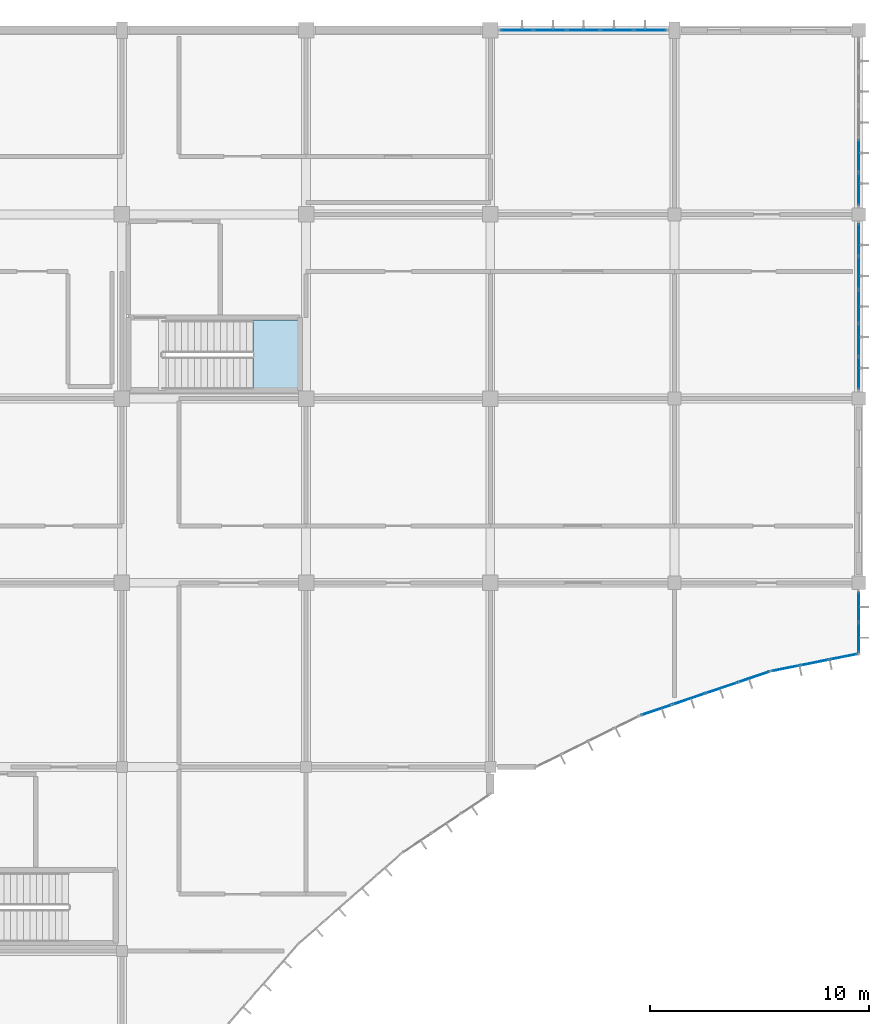
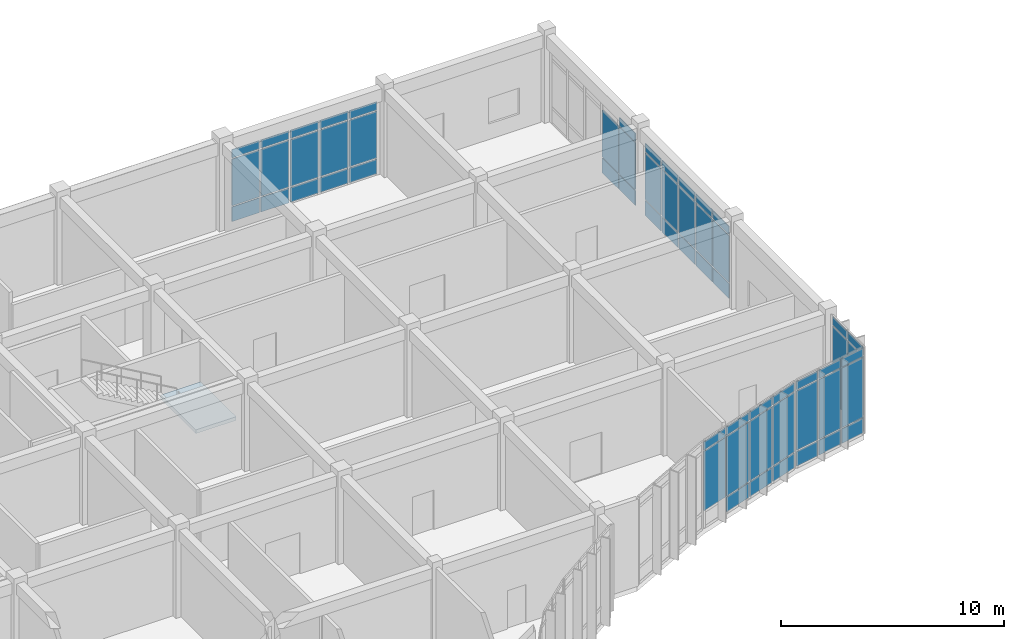
# One storey, part 85 of 134: 61 plates, 1 slab, 7 elements without a shape of their own.
"""IFC4 building model written with IfcOpenShell, lengths in metres."""

from ifc_helpers import new_model, si_unit, direction, frame, origin, origin_2d, place, context, subcontext, project, spatial, polyline, rectangle, outline, extrude, material, layer, layer_set, type_object, element, aggregate, save


model = new_model("IFC4")

# Units and contexts
model_context = context("Model", 3, precision=1e-05, world=origin(), true_north=direction((0.0, 1.0)))
body_context = subcontext(model_context, "Body", "Model", "MODEL_VIEW")
ifc_project = project(units=[si_unit("LENGTHUNIT", "METRE"), si_unit("AREAUNIT", "SQUARE_METRE"), si_unit("VOLUMEUNIT", "CUBIC_METRE"), si_unit("PLANEANGLEUNIT", "RADIAN"), si_unit("MASSUNIT", "GRAM", prefix="KILO")], contexts=[model_context])

# Site, building, storey
site_placement = place(None, origin())
site = spatial("IfcSite", under=ifc_project, at=site_placement, CompositionType="ELEMENT")
building_placement = place(site_placement, origin())
building = spatial("IfcBuilding", under=site, at=building_placement, Name="Bramfleet General Hospital", CompositionType="ELEMENT")
storey_placement = place(building_placement, frame((0.0, 0.0, 9.300048828125)))
storey = spatial("IfcBuildingStorey", under=building, at=storey_placement, Name="L02", CompositionType="ELEMENT", Elevation=9.300048828125)

# Curtain wall, plates
ifc_material_1 = material(Name="Anodised aluminium and low-E triple glazing", Category="aluminium")
ifc_layer_1 = layer(ifc_material_1, 0.179931640625, Name="CWT-CW-11")
ifc_layer_set_1 = layer_set([ifc_layer_1], Name="Anodised aluminium and low-E triple glazing")
curtain_wall_type_1 = type_object("IfcCurtainWallType", Name="CWT-CW-11", PredefinedType="USERDEFINED", material=ifc_layer_set_1)
curtain_wall_1_placement = place(storey_placement, origin())
curtain_wall_1 = element("IfcCurtainWall", 1, at=curtain_wall_1_placement, inside=storey, type_object=curtain_wall_type_1, Name="L02 Curtain Wall 101", ObjectType="Stick curtain wall", PredefinedType="USERDEFINED")
ifc_material_2 = material(Name="Low-E laminated safety glass", Category="glass")
ifc_layer_2 = layer(ifc_material_2, 0.028076171875, Name="CWP-GLZ-1")
ifc_layer_set_2 = layer_set([ifc_layer_2], Name="Low-E laminated safety glass")
plate_type_1 = type_object("IfcPlateType", Name="CWP-GLZ-1", PredefinedType="CURTAIN_PANEL", material=ifc_layer_set_2)
plate_1_placement = place(storey_placement, frame((168.0, 108.04248046875, 0.06494140625), z_axis=(0.0, 0.0, 1.0), x_axis=(0.0, -1.0, 0.0)))
plate_1 = element("IfcPlate", 2, at=plate_1_placement, type_object=plate_type_1, Name="CW-11 panel 1.1", PredefinedType="CURTAIN_PANEL", context=body_context, shape_type="SweptSolid", body=[
    extrude(rectangle(XDim=1.425048828125, YDim=0.028076171875, at=origin_2d()), origin(), (0.0, 0.0, 1.0), 0.802490234375),
])
plate_2_placement = place(storey_placement, frame((168.0, 108.04248046875, 0.9326171875), z_axis=(0.0, 0.0, 1.0), x_axis=(0.0, -1.0, 0.0)))
plate_2 = element("IfcPlate", 3, at=plate_2_placement, type_object=plate_type_1, Name="CW-11 panel 1.2", PredefinedType="CURTAIN_PANEL", context=body_context, shape_type="SweptSolid", body=[
    extrude(rectangle(XDim=1.425048828125, YDim=0.028076171875, at=origin_2d()), origin(), (0.0, 0.0, 1.0), 2.554931640625),
])
plate_3_placement = place(storey_placement, frame((168.0, 108.04248046875, 3.552734375), z_axis=(0.0, 0.0, 1.0), x_axis=(0.0, -1.0, 0.0)))
plate_3 = element("IfcPlate", 4, at=plate_3_placement, type_object=plate_type_1, Name="CW-11 panel 1.3", PredefinedType="CURTAIN_PANEL", context=body_context, shape_type="SweptSolid", body=[
    extrude(rectangle(XDim=1.425048828125, YDim=0.028076171875, at=origin_2d()), origin(), (0.0, 0.0, 1.0), 0.452392578125),
])
plate_4_placement = place(storey_placement, frame((168.0, 106.530029296875, 0.06494140625), z_axis=(0.0, 0.0, 1.0), x_axis=(0.0, -1.0, 0.0)))
plate_4 = element("IfcPlate", 5, at=plate_4_placement, type_object=plate_type_1, Name="CW-11 panel 2.1", PredefinedType="CURTAIN_PANEL", context=body_context, shape_type="SweptSolid", body=[
    extrude(rectangle(XDim=1.4599609375, YDim=0.028076171875, at=origin_2d()), origin(), (0.0, 0.0, 1.0), 0.802490234375),
])
plate_5_placement = place(storey_placement, frame((168.0, 106.530029296875, 0.9326171875), z_axis=(0.0, 0.0, 1.0), x_axis=(0.0, -1.0, 0.0)))
plate_5 = element("IfcPlate", 6, at=plate_5_placement, type_object=plate_type_1, Name="CW-11 panel 2.2", PredefinedType="CURTAIN_PANEL", context=body_context, shape_type="SweptSolid", body=[
    extrude(rectangle(XDim=1.4599609375, YDim=0.028076171875, at=origin_2d()), origin(), (0.0, 0.0, 1.0), 2.554931640625),
])
plate_6_placement = place(storey_placement, frame((168.0, 106.530029296875, 3.552734375), z_axis=(0.0, 0.0, 1.0), x_axis=(0.0, -1.0, 0.0)))
plate_6 = element("IfcPlate", 7, at=plate_6_placement, type_object=plate_type_1, Name="CW-11 panel 2.3", PredefinedType="CURTAIN_PANEL", context=body_context, shape_type="SweptSolid", body=[
    extrude(rectangle(XDim=1.4599609375, YDim=0.028076171875, at=origin_2d()), origin(), (0.0, 0.0, 1.0), 0.452392578125),
])
plate_7_placement = place(storey_placement, frame((168.0, 105.0, 0.06494140625), z_axis=(0.0, 0.0, 1.0), x_axis=(0.0, -1.0, 0.0)))
plate_7 = element("IfcPlate", 8, at=plate_7_placement, type_object=plate_type_1, Name="CW-11 panel 3.1", PredefinedType="CURTAIN_PANEL", context=body_context, shape_type="SweptSolid", body=[
    extrude(rectangle(XDim=1.4599609375, YDim=0.028076171875, at=origin_2d()), origin(), (0.0, 0.0, 1.0), 0.802490234375),
])
plate_8_placement = place(storey_placement, frame((168.0, 105.0, 0.9326171875), z_axis=(0.0, 0.0, 1.0), x_axis=(0.0, -1.0, 0.0)))
plate_8 = element("IfcPlate", 9, at=plate_8_placement, type_object=plate_type_1, Name="CW-11 panel 3.2", PredefinedType="CURTAIN_PANEL", context=body_context, shape_type="SweptSolid", body=[
    extrude(rectangle(XDim=1.4599609375, YDim=0.028076171875, at=origin_2d()), origin(), (0.0, 0.0, 1.0), 2.554931640625),
])
plate_9_placement = place(storey_placement, frame((168.0, 105.0, 3.552734375), z_axis=(0.0, 0.0, 1.0), x_axis=(0.0, -1.0, 0.0)))
plate_9 = element("IfcPlate", 10, at=plate_9_placement, type_object=plate_type_1, Name="CW-11 panel 3.3", PredefinedType="CURTAIN_PANEL", context=body_context, shape_type="SweptSolid", body=[
    extrude(rectangle(XDim=1.4599609375, YDim=0.028076171875, at=origin_2d()), origin(), (0.0, 0.0, 1.0), 0.452392578125),
])
plate_10_placement = place(storey_placement, frame((168.0, 103.469970703125, 0.06494140625), z_axis=(0.0, 0.0, 1.0), x_axis=(0.0, -1.0, 0.0)))
plate_10 = element("IfcPlate", 11, at=plate_10_placement, type_object=plate_type_1, Name="CW-11 panel 4.1", PredefinedType="CURTAIN_PANEL", context=body_context, shape_type="SweptSolid", body=[
    extrude(rectangle(XDim=1.4599609375, YDim=0.028076171875, at=origin_2d()), origin(), (0.0, 0.0, 1.0), 0.802490234375),
])
plate_11_placement = place(storey_placement, frame((168.0, 103.469970703125, 0.9326171875), z_axis=(0.0, 0.0, 1.0), x_axis=(0.0, -1.0, 0.0)))
plate_11 = element("IfcPlate", 12, at=plate_11_placement, type_object=plate_type_1, Name="CW-11 panel 4.2", PredefinedType="CURTAIN_PANEL", context=body_context, shape_type="SweptSolid", body=[
    extrude(rectangle(XDim=1.4599609375, YDim=0.028076171875, at=origin_2d()), origin(), (0.0, 0.0, 1.0), 2.554931640625),
])
plate_12_placement = place(storey_placement, frame((168.0, 103.469970703125, 3.552734375), z_axis=(0.0, 0.0, 1.0), x_axis=(0.0, -1.0, 0.0)))
plate_12 = element("IfcPlate", 13, at=plate_12_placement, type_object=plate_type_1, Name="CW-11 panel 4.3", PredefinedType="CURTAIN_PANEL", context=body_context, shape_type="SweptSolid", body=[
    extrude(rectangle(XDim=1.4599609375, YDim=0.028076171875, at=origin_2d()), origin(), (0.0, 0.0, 1.0), 0.452392578125),
])
plate_13_placement = place(storey_placement, frame((168.0, 101.95751953125, 0.06494140625), z_axis=(0.0, 0.0, 1.0), x_axis=(0.0, -1.0, 0.0)))
plate_13 = element("IfcPlate", 14, at=plate_13_placement, type_object=plate_type_1, Name="CW-11 panel 5.1", PredefinedType="CURTAIN_PANEL", context=body_context, shape_type="SweptSolid", body=[
    extrude(rectangle(XDim=1.425048828125, YDim=0.028076171875, at=origin_2d()), origin(), (0.0, 0.0, 1.0), 0.802490234375),
])
plate_14_placement = place(storey_placement, frame((168.0, 101.95751953125, 0.9326171875), z_axis=(0.0, 0.0, 1.0), x_axis=(0.0, -1.0, 0.0)))
plate_14 = element("IfcPlate", 15, at=plate_14_placement, type_object=plate_type_1, Name="CW-11 panel 5.2", PredefinedType="CURTAIN_PANEL", context=body_context, shape_type="SweptSolid", body=[
    extrude(rectangle(XDim=1.425048828125, YDim=0.028076171875, at=origin_2d()), origin(), (0.0, 0.0, 1.0), 2.554931640625),
])
plate_15_placement = place(storey_placement, frame((168.0, 101.95751953125, 3.552734375), z_axis=(0.0, 0.0, 1.0), x_axis=(0.0, -1.0, 0.0)))
plate_15 = element("IfcPlate", 16, at=plate_15_placement, type_object=plate_type_1, Name="CW-11 panel 5.3", PredefinedType="CURTAIN_PANEL", context=body_context, shape_type="SweptSolid", body=[
    extrude(rectangle(XDim=1.425048828125, YDim=0.028076171875, at=origin_2d()), origin(), (0.0, 0.0, 1.0), 0.452392578125),
])
aggregate(curtain_wall_1, [plate_1, plate_2, plate_3, plate_4, plate_5, plate_6, plate_7, plate_8, plate_9, plate_10, plate_11, plate_12, plate_13, plate_14, plate_15])

ifc_layer_3 = layer(ifc_material_1, 0.179931640625, Name="CWT-CW-12")
ifc_layer_set_3 = layer_set([ifc_layer_3], Name="Anodised aluminium and low-E triple glazing")
curtain_wall_type_2 = type_object("IfcCurtainWallType", Name="CWT-CW-12", PredefinedType="USERDEFINED", material=ifc_layer_set_3)
curtain_wall_2_placement = place(storey_placement, origin())
curtain_wall_2 = element("IfcCurtainWall", 17, at=curtain_wall_2_placement, inside=storey, type_object=curtain_wall_type_2, Name="L02 Curtain Wall 102", ObjectType="Stick curtain wall", PredefinedType="USERDEFINED")
ifc_layer_4 = layer(ifc_material_2, 0.031982421875, Name="CWP-GLZ-2")
ifc_layer_set_4 = layer_set([ifc_layer_4], Name="Low-E laminated safety glass")
plate_type_2 = type_object("IfcPlateType", Name="CWP-GLZ-2", PredefinedType="CURTAIN_PANEL", material=ifc_layer_set_4)
plate_16_placement = place(storey_placement, frame((168.0, 91.29248046875, 0.06494140625), z_axis=(0.0, 0.0, 1.0), x_axis=(0.0, -1.0, 0.0)))
plate_16 = element("IfcPlate", 18, at=plate_16_placement, type_object=plate_type_2, Name="CW-12 panel 1.1", PredefinedType="CURTAIN_PANEL", context=body_context, shape_type="SweptSolid", body=[
    extrude(rectangle(XDim=1.324951171875, YDim=0.031982421875, at=origin_2d()), origin(), (0.0, 0.0, 1.0), 0.802490234375),
])
plate_17_placement = place(storey_placement, frame((168.0, 91.29248046875, 0.9326171875), z_axis=(0.0, 0.0, 1.0), x_axis=(0.0, -1.0, 0.0)))
plate_17 = element("IfcPlate", 19, at=plate_17_placement, type_object=plate_type_2, Name="CW-12 panel 1.2", PredefinedType="CURTAIN_PANEL", context=body_context, shape_type="SweptSolid", body=[
    extrude(rectangle(XDim=1.324951171875, YDim=0.031982421875, at=origin_2d()), origin(), (0.0, 0.0, 1.0), 3.2548828125),
])
plate_18_placement = place(storey_placement, frame((168.0, 91.29248046875, 4.25244140625), z_axis=(0.0, 0.0, 1.0), x_axis=(0.0, -1.0, 0.0)))
plate_18 = element("IfcPlate", 20, at=plate_18_placement, type_object=plate_type_2, Name="CW-12 panel 1.3", PredefinedType="CURTAIN_PANEL", context=body_context, shape_type="SweptSolid", body=[
    extrude(rectangle(XDim=1.324951171875, YDim=0.031982421875, at=origin_2d()), origin(), (0.0, 0.0, 1.0), 0.452392578125),
])
plate_19_placement = place(storey_placement, frame((168.0, 89.8974609375, 0.06494140625), z_axis=(0.0, 0.0, 1.0), x_axis=(0.0, -1.0, 0.0)))
plate_19 = element("IfcPlate", 21, at=plate_19_placement, type_object=plate_type_2, Name="CW-12 panel 2.1", PredefinedType="CURTAIN_PANEL", context=body_context, shape_type="SweptSolid", body=[
    extrude(rectangle(XDim=1.324951171875, YDim=0.031982421875, at=origin_2d()), origin(), (0.0, 0.0, 1.0), 0.802490234375),
])
plate_20_placement = place(storey_placement, frame((168.0, 89.8974609375, 0.9326171875), z_axis=(0.0, 0.0, 1.0), x_axis=(0.0, -1.0, 0.0)))
plate_20 = element("IfcPlate", 22, at=plate_20_placement, type_object=plate_type_2, Name="CW-12 panel 2.2", PredefinedType="CURTAIN_PANEL", context=body_context, shape_type="SweptSolid", body=[
    extrude(rectangle(XDim=1.324951171875, YDim=0.031982421875, at=origin_2d()), origin(), (0.0, 0.0, 1.0), 3.2548828125),
])
plate_21_placement = place(storey_placement, frame((168.0, 89.8974609375, 4.25244140625), z_axis=(0.0, 0.0, 1.0), x_axis=(0.0, -1.0, 0.0)))
plate_21 = element("IfcPlate", 23, at=plate_21_placement, type_object=plate_type_2, Name="CW-12 panel 2.3", PredefinedType="CURTAIN_PANEL", context=body_context, shape_type="SweptSolid", body=[
    extrude(rectangle(XDim=1.324951171875, YDim=0.031982421875, at=origin_2d()), origin(), (0.0, 0.0, 1.0), 0.452392578125),
])
aggregate(curtain_wall_2, [plate_16, plate_17, plate_18, plate_19, plate_20, plate_21])

ifc_layer_5 = layer(ifc_material_1, 0.179931640625, Name="CWT-CW-09")
ifc_layer_set_5 = layer_set([ifc_layer_5], Name="Anodised aluminium and low-E triple glazing")
curtain_wall_type_3 = type_object("IfcCurtainWallType", Name="CWT-CW-09", PredefinedType="USERDEFINED", material=ifc_layer_set_5)
curtain_wall_3_placement = place(storey_placement, origin())
curtain_wall_3 = element("IfcCurtainWall", 24, at=curtain_wall_3_placement, inside=storey, type_object=curtain_wall_type_3, Name="L02 Curtain Wall 99", ObjectType="Unitised curtain wall", PredefinedType="USERDEFINED")
ifc_layer_6 = layer(ifc_material_2, 0.035888671875, Name="CWP-GLZ-3")
ifc_layer_set_6 = layer_set([ifc_layer_6], Name="Low-E laminated safety glass")
plate_type_3 = type_object("IfcPlateType", Name="CWP-GLZ-3", PredefinedType="CURTAIN_PANEL", material=ifc_layer_set_6)
plate_22_placement = place(storey_placement, frame((152.407470703125, 117.60009765625, 0.06494140625), z_axis=(0.0, 0.0, 1.0), x_axis=(1.0, 0.0, 0.0)))
plate_22 = element("IfcPlate", 25, at=plate_22_placement, type_object=plate_type_3, Name="CW-09 panel 1.1", PredefinedType="CURTAIN_PANEL", context=body_context, shape_type="SweptSolid", body=[
    extrude(rectangle(XDim=1.425048828125, YDim=0.035888671875, at=origin_2d()), origin(), (0.0, 0.0, 1.0), 0.802490234375),
])
plate_23_placement = place(storey_placement, frame((152.407470703125, 117.60009765625, 0.9326171875), z_axis=(0.0, 0.0, 1.0), x_axis=(1.0, 0.0, 0.0)))
plate_23 = element("IfcPlate", 26, at=plate_23_placement, type_object=plate_type_3, Name="CW-09 panel 1.2", PredefinedType="CURTAIN_PANEL", context=body_context, shape_type="SweptSolid", body=[
    extrude(rectangle(XDim=1.425048828125, YDim=0.035888671875, at=origin_2d()), origin(), (0.0, 0.0, 1.0), 2.554931640625),
])
plate_24_placement = place(storey_placement, frame((152.407470703125, 117.60009765625, 3.552734375), z_axis=(0.0, 0.0, 1.0), x_axis=(1.0, 0.0, 0.0)))
plate_24 = element("IfcPlate", 27, at=plate_24_placement, type_object=plate_type_3, Name="CW-09 panel 1.3", PredefinedType="CURTAIN_PANEL", context=body_context, shape_type="SweptSolid", body=[
    extrude(rectangle(XDim=1.425048828125, YDim=0.035888671875, at=origin_2d()), origin(), (0.0, 0.0, 1.0), 0.452392578125),
])
plate_25_placement = place(storey_placement, frame((153.919921875, 117.60009765625, 0.06494140625), z_axis=(0.0, 0.0, 1.0), x_axis=(1.0, 0.0, 0.0)))
plate_25 = element("IfcPlate", 28, at=plate_25_placement, type_object=plate_type_3, Name="CW-09 panel 2.1", PredefinedType="CURTAIN_PANEL", context=body_context, shape_type="SweptSolid", body=[
    extrude(rectangle(XDim=1.4599609375, YDim=0.035888671875, at=origin_2d()), origin(), (0.0, 0.0, 1.0), 0.802490234375),
])
plate_26_placement = place(storey_placement, frame((153.919921875, 117.60009765625, 0.9326171875), z_axis=(0.0, 0.0, 1.0), x_axis=(1.0, 0.0, 0.0)))
plate_26 = element("IfcPlate", 29, at=plate_26_placement, type_object=plate_type_3, Name="CW-09 panel 2.2", PredefinedType="CURTAIN_PANEL", context=body_context, shape_type="SweptSolid", body=[
    extrude(rectangle(XDim=1.4599609375, YDim=0.035888671875, at=origin_2d()), origin(), (0.0, 0.0, 1.0), 2.554931640625),
])
plate_27_placement = place(storey_placement, frame((153.919921875, 117.60009765625, 3.552734375), z_axis=(0.0, 0.0, 1.0), x_axis=(1.0, 0.0, 0.0)))
plate_27 = element("IfcPlate", 30, at=plate_27_placement, type_object=plate_type_3, Name="CW-09 panel 2.3", PredefinedType="CURTAIN_PANEL", context=body_context, shape_type="SweptSolid", body=[
    extrude(rectangle(XDim=1.4599609375, YDim=0.035888671875, at=origin_2d()), origin(), (0.0, 0.0, 1.0), 0.452392578125),
])
plate_28_placement = place(storey_placement, frame((155.449951171875, 117.60009765625, 0.06494140625), z_axis=(0.0, 0.0, 1.0), x_axis=(1.0, 0.0, 0.0)))
plate_28 = element("IfcPlate", 31, at=plate_28_placement, type_object=plate_type_3, Name="CW-09 panel 3.1", PredefinedType="CURTAIN_PANEL", context=body_context, shape_type="SweptSolid", body=[
    extrude(rectangle(XDim=1.4599609375, YDim=0.035888671875, at=origin_2d()), origin(), (0.0, 0.0, 1.0), 0.802490234375),
])
plate_29_placement = place(storey_placement, frame((155.449951171875, 117.60009765625, 0.9326171875), z_axis=(0.0, 0.0, 1.0), x_axis=(1.0, 0.0, 0.0)))
plate_29 = element("IfcPlate", 32, at=plate_29_placement, type_object=plate_type_3, Name="CW-09 panel 3.2", PredefinedType="CURTAIN_PANEL", context=body_context, shape_type="SweptSolid", body=[
    extrude(rectangle(XDim=1.4599609375, YDim=0.035888671875, at=origin_2d()), origin(), (0.0, 0.0, 1.0), 2.554931640625),
])
plate_30_placement = place(storey_placement, frame((155.449951171875, 117.60009765625, 3.552734375), z_axis=(0.0, 0.0, 1.0), x_axis=(1.0, 0.0, 0.0)))
plate_30 = element("IfcPlate", 33, at=plate_30_placement, type_object=plate_type_3, Name="CW-09 panel 3.3", PredefinedType="CURTAIN_PANEL", context=body_context, shape_type="SweptSolid", body=[
    extrude(rectangle(XDim=1.4599609375, YDim=0.035888671875, at=origin_2d()), origin(), (0.0, 0.0, 1.0), 0.452392578125),
])
plate_31_placement = place(storey_placement, frame((156.97998046875, 117.60009765625, 0.06494140625), z_axis=(0.0, 0.0, 1.0), x_axis=(1.0, 0.0, 0.0)))
plate_31 = element("IfcPlate", 34, at=plate_31_placement, type_object=plate_type_3, Name="CW-09 panel 4.1", PredefinedType="CURTAIN_PANEL", context=body_context, shape_type="SweptSolid", body=[
    extrude(rectangle(XDim=1.4599609375, YDim=0.035888671875, at=origin_2d()), origin(), (0.0, 0.0, 1.0), 0.802490234375),
])
plate_32_placement = place(storey_placement, frame((156.97998046875, 117.60009765625, 0.9326171875), z_axis=(0.0, 0.0, 1.0), x_axis=(1.0, 0.0, 0.0)))
plate_32 = element("IfcPlate", 35, at=plate_32_placement, type_object=plate_type_3, Name="CW-09 panel 4.2", PredefinedType="CURTAIN_PANEL", context=body_context, shape_type="SweptSolid", body=[
    extrude(rectangle(XDim=1.4599609375, YDim=0.035888671875, at=origin_2d()), origin(), (0.0, 0.0, 1.0), 2.554931640625),
])
plate_33_placement = place(storey_placement, frame((156.97998046875, 117.60009765625, 3.552734375), z_axis=(0.0, 0.0, 1.0), x_axis=(1.0, 0.0, 0.0)))
plate_33 = element("IfcPlate", 36, at=plate_33_placement, type_object=plate_type_3, Name="CW-09 panel 4.3", PredefinedType="CURTAIN_PANEL", context=body_context, shape_type="SweptSolid", body=[
    extrude(rectangle(XDim=1.4599609375, YDim=0.035888671875, at=origin_2d()), origin(), (0.0, 0.0, 1.0), 0.452392578125),
])
plate_34_placement = place(storey_placement, frame((158.492431640625, 117.60009765625, 0.06494140625), z_axis=(0.0, 0.0, 1.0), x_axis=(1.0, 0.0, 0.0)))
plate_34 = element("IfcPlate", 37, at=plate_34_placement, type_object=plate_type_3, Name="CW-09 panel 5.1", PredefinedType="CURTAIN_PANEL", context=body_context, shape_type="SweptSolid", body=[
    extrude(rectangle(XDim=1.425048828125, YDim=0.035888671875, at=origin_2d()), origin(), (0.0, 0.0, 1.0), 0.802490234375),
])
plate_35_placement = place(storey_placement, frame((158.492431640625, 117.60009765625, 0.9326171875), z_axis=(0.0, 0.0, 1.0), x_axis=(1.0, 0.0, 0.0)))
plate_35 = element("IfcPlate", 38, at=plate_35_placement, type_object=plate_type_3, Name="CW-09 panel 5.2", PredefinedType="CURTAIN_PANEL", context=body_context, shape_type="SweptSolid", body=[
    extrude(rectangle(XDim=1.425048828125, YDim=0.035888671875, at=origin_2d()), origin(), (0.0, 0.0, 1.0), 2.554931640625),
])
plate_36_placement = place(storey_placement, frame((158.492431640625, 117.60009765625, 3.552734375), z_axis=(0.0, 0.0, 1.0), x_axis=(1.0, 0.0, 0.0)))
plate_36 = element("IfcPlate", 39, at=plate_36_placement, type_object=plate_type_3, Name="CW-09 panel 5.3", PredefinedType="CURTAIN_PANEL", context=body_context, shape_type="SweptSolid", body=[
    extrude(rectangle(XDim=1.425048828125, YDim=0.035888671875, at=origin_2d()), origin(), (0.0, 0.0, 1.0), 0.452392578125),
])
aggregate(curtain_wall_3, [plate_22, plate_23, plate_24, plate_25, plate_26, plate_27, plate_28, plate_29, plate_30, plate_31, plate_32, plate_33, plate_34, plate_35, plate_36])

ifc_layer_7 = layer(ifc_material_1, 0.179931640625, Name="CWT-CW-13")
ifc_layer_set_7 = layer_set([ifc_layer_7], Name="Anodised aluminium and low-E triple glazing")
curtain_wall_type_4 = type_object("IfcCurtainWallType", Name="CWT-CW-13", PredefinedType="USERDEFINED", material=ifc_layer_set_7)
curtain_wall_4_placement = place(storey_placement, origin())
curtain_wall_4 = element("IfcCurtainWall", 40, at=curtain_wall_4_placement, inside=storey, type_object=curtain_wall_type_4, Name="L02 Curtain Wall 103", ObjectType="Stick curtain wall", PredefinedType="USERDEFINED")
plate_37_placement = place(storey_placement, frame((167.312255859375, 89.028076171875, 0.06494140625), z_axis=(0.0, 0.0, 1.0), x_axis=(-0.980749087161, -0.195272189606, 0.0)))
plate_37 = element("IfcPlate", 41, at=plate_37_placement, type_object=plate_type_3, Name="CW-13 panel 1.1", PredefinedType="CURTAIN_PANEL", context=body_context, shape_type="SweptSolid", body=[
    extrude(rectangle(XDim=1.26220703125, YDim=0.035888671875, at=origin_2d()), origin(), (0.0, 0.0, 1.0), 0.802490234375),
])
plate_38_placement = place(storey_placement, frame((167.312255859375, 89.028076171875, 0.9326171875), z_axis=(0.0, 0.0, 1.0), x_axis=(-0.980749087161, -0.195272189606, 0.0)))
plate_38 = element("IfcPlate", 42, at=plate_38_placement, type_object=plate_type_3, Name="CW-13 panel 1.2", PredefinedType="CURTAIN_PANEL", context=body_context, shape_type="SweptSolid", body=[
    extrude(rectangle(XDim=1.26220703125, YDim=0.035888671875, at=origin_2d()), origin(), (0.0, 0.0, 1.0), 3.2548828125),
])
plate_39_placement = place(storey_placement, frame((167.312255859375, 89.028076171875, 4.25244140625), z_axis=(0.0, 0.0, 1.0), x_axis=(-0.980749087161, -0.195272189606, 0.0)))
plate_39 = element("IfcPlate", 43, at=plate_39_placement, type_object=plate_type_3, Name="CW-13 panel 1.3", PredefinedType="CURTAIN_PANEL", context=body_context, shape_type="SweptSolid", body=[
    extrude(rectangle(XDim=1.26220703125, YDim=0.035888671875, at=origin_2d()), origin(), (0.0, 0.0, 1.0), 0.452392578125),
])
plate_40_placement = place(storey_placement, frame((165.988525390625, 88.764404296875, 0.06494140625), z_axis=(0.0, 0.0, 1.0), x_axis=(-0.980749087161, -0.195272189606, 0.0)))
plate_40 = element("IfcPlate", 44, at=plate_40_placement, type_object=plate_type_3, Name="CW-13 panel 2.1", PredefinedType="CURTAIN_PANEL", context=body_context, shape_type="SweptSolid", body=[
    extrude(rectangle(XDim=1.29736328125, YDim=0.035888671875, at=origin_2d()), origin(), (0.0, 0.0, 1.0), 0.802490234375),
])
plate_41_placement = place(storey_placement, frame((165.988525390625, 88.764404296875, 0.9326171875), z_axis=(0.0, 0.0, 1.0), x_axis=(-0.980749087161, -0.195272189606, 0.0)))
plate_41 = element("IfcPlate", 45, at=plate_41_placement, type_object=plate_type_3, Name="CW-13 panel 2.2", PredefinedType="CURTAIN_PANEL", context=body_context, shape_type="SweptSolid", body=[
    extrude(rectangle(XDim=1.29736328125, YDim=0.035888671875, at=origin_2d()), origin(), (0.0, 0.0, 1.0), 3.2548828125),
])
plate_42_placement = place(storey_placement, frame((165.988525390625, 88.764404296875, 4.25244140625), z_axis=(0.0, 0.0, 1.0), x_axis=(-0.980749087161, -0.195272189606, 0.0)))
plate_42 = element("IfcPlate", 46, at=plate_42_placement, type_object=plate_type_3, Name="CW-13 panel 2.3", PredefinedType="CURTAIN_PANEL", context=body_context, shape_type="SweptSolid", body=[
    extrude(rectangle(XDim=1.29736328125, YDim=0.035888671875, at=origin_2d()), origin(), (0.0, 0.0, 1.0), 0.452392578125),
])
plate_43_placement = place(storey_placement, frame((164.66455078125, 88.5009765625, 0.06494140625), z_axis=(0.0, 0.0, 1.0), x_axis=(-0.980749087161, -0.195272189606, 0.0)))
plate_43 = element("IfcPlate", 47, at=plate_43_placement, type_object=plate_type_3, Name="CW-13 panel 3.1", PredefinedType="CURTAIN_PANEL", context=body_context, shape_type="SweptSolid", body=[
    extrude(rectangle(XDim=1.26220703125, YDim=0.035888671875, at=origin_2d()), origin(), (0.0, 0.0, 1.0), 0.802490234375),
])
plate_44_placement = place(storey_placement, frame((164.66455078125, 88.5009765625, 0.9326171875), z_axis=(0.0, 0.0, 1.0), x_axis=(-0.980749087161, -0.195272189606, 0.0)))
plate_44 = element("IfcPlate", 48, at=plate_44_placement, type_object=plate_type_3, Name="CW-13 panel 3.2", PredefinedType="CURTAIN_PANEL", context=body_context, shape_type="SweptSolid", body=[
    extrude(rectangle(XDim=1.26220703125, YDim=0.035888671875, at=origin_2d()), origin(), (0.0, 0.0, 1.0), 3.2548828125),
])
plate_45_placement = place(storey_placement, frame((164.66455078125, 88.5009765625, 4.25244140625), z_axis=(0.0, 0.0, 1.0), x_axis=(-0.980749087161, -0.195272189606, 0.0)))
plate_45 = element("IfcPlate", 49, at=plate_45_placement, type_object=plate_type_3, Name="CW-13 panel 3.3", PredefinedType="CURTAIN_PANEL", context=body_context, shape_type="SweptSolid", body=[
    extrude(rectangle(XDim=1.26220703125, YDim=0.035888671875, at=origin_2d()), origin(), (0.0, 0.0, 1.0), 0.452392578125),
])
aggregate(curtain_wall_4, [plate_37, plate_38, plate_39, plate_40, plate_41, plate_42, plate_43, plate_44, plate_45])

ifc_layer_8 = layer(ifc_material_1, 0.179931640625, Name="CWT-CW-10")
ifc_layer_set_8 = layer_set([ifc_layer_8], Name="Anodised aluminium and low-E triple glazing")
curtain_wall_type_5 = type_object("IfcCurtainWallType", Name="CWT-CW-10", PredefinedType="USERDEFINED", material=ifc_layer_set_8)
curtain_wall_5_placement = place(storey_placement, origin())
curtain_wall_5 = element("IfcCurtainWall", 50, at=curtain_wall_5_placement, inside=storey, type_object=curtain_wall_type_5, Name="L02 Curtain Wall 100", ObjectType="Stick curtain wall", PredefinedType="USERDEFINED")
ifc_layer_9 = layer(ifc_material_2, 0.0419921875, Name="CWP-GLZ-4")
ifc_layer_set_9 = layer_set([ifc_layer_9], Name="Low-E laminated safety glass")
plate_type_4 = type_object("IfcPlateType", Name="CWP-GLZ-4", PredefinedType="CURTAIN_PANEL", material=ifc_layer_set_9)
plate_46_placement = place(storey_placement, frame((168.0, 111.8701171875, 0.06494140625), z_axis=(0.0, 0.0, 1.0), x_axis=(0.0, -1.0, 0.0)))
plate_46 = element("IfcPlate", 51, at=plate_46_placement, type_object=plate_type_4, Name="CW-10 panel 4.1", PredefinedType="CURTAIN_PANEL", context=body_context, shape_type="SweptSolid", body=[
    extrude(rectangle(XDim=1.4599609375, YDim=0.0419921875, at=origin_2d()), origin(), (0.0, 0.0, 1.0), 0.802490234375),
])
plate_47_placement = place(storey_placement, frame((168.0, 111.8701171875, 0.9326171875), z_axis=(0.0, 0.0, 1.0), x_axis=(0.0, -1.0, 0.0)))
plate_47 = element("IfcPlate", 52, at=plate_47_placement, type_object=plate_type_4, Name="CW-10 panel 4.2", PredefinedType="CURTAIN_PANEL", context=body_context, shape_type="SweptSolid", body=[
    extrude(rectangle(XDim=1.4599609375, YDim=0.0419921875, at=origin_2d()), origin(), (0.0, 0.0, 1.0), 2.554931640625),
])
plate_48_placement = place(storey_placement, frame((168.0, 110.357421875, 0.06494140625), z_axis=(0.0, 0.0, 1.0), x_axis=(0.0, -1.0, 0.0)))
plate_48 = element("IfcPlate", 53, at=plate_48_placement, type_object=plate_type_4, Name="CW-10 panel 5.1", PredefinedType="CURTAIN_PANEL", context=body_context, shape_type="SweptSolid", body=[
    extrude(rectangle(XDim=1.425048828125, YDim=0.0419921875, at=origin_2d()), origin(), (0.0, 0.0, 1.0), 0.802490234375),
])
plate_49_placement = place(storey_placement, frame((168.0, 110.357421875, 0.9326171875), z_axis=(0.0, 0.0, 1.0), x_axis=(0.0, -1.0, 0.0)))
plate_49 = element("IfcPlate", 54, at=plate_49_placement, type_object=plate_type_4, Name="CW-10 panel 5.2", PredefinedType="CURTAIN_PANEL", context=body_context, shape_type="SweptSolid", body=[
    extrude(rectangle(XDim=1.425048828125, YDim=0.0419921875, at=origin_2d()), origin(), (0.0, 0.0, 1.0), 2.554931640625),
])
plate_50_placement = place(storey_placement, frame((168.0, 110.357421875, 3.552734375), z_axis=(0.0, 0.0, 1.0), x_axis=(0.0, -1.0, 0.0)))
plate_50 = element("IfcPlate", 55, at=plate_50_placement, type_object=plate_type_4, Name="CW-10 panel 5.3", PredefinedType="CURTAIN_PANEL", context=body_context, shape_type="SweptSolid", body=[
    extrude(rectangle(XDim=1.425048828125, YDim=0.0419921875, at=origin_2d()), origin(), (0.0, 0.0, 1.0), 0.452392578125),
])
aggregate(curtain_wall_5, [plate_46, plate_47, plate_48, plate_49, plate_50])

ifc_layer_10 = layer(ifc_material_1, 0.179931640625, Name="CWT-CW-14")
ifc_layer_set_10 = layer_set([ifc_layer_10], Name="Anodised aluminium and low-E triple glazing")
curtain_wall_type_6 = type_object("IfcCurtainWallType", Name="CWT-CW-14", PredefinedType="USERDEFINED", material=ifc_layer_set_10)
curtain_wall_6_placement = place(storey_placement, origin())
curtain_wall_6 = element("IfcCurtainWall", 56, at=curtain_wall_6_placement, inside=storey, type_object=curtain_wall_type_6, Name="L02 Curtain Wall 104", ObjectType="Stick curtain wall", PredefinedType="USERDEFINED")
plate_51_placement = place(storey_placement, frame((163.21728515625, 88.106201171875, 0.06494140625), z_axis=(0.0, 0.0, 1.0), x_axis=(-0.946949276617, -0.321383054181, 0.0)))
plate_51 = element("IfcPlate", 57, at=plate_51_placement, type_object=plate_type_4, Name="CW-14 panel 1.1", PredefinedType="CURTAIN_PANEL", context=body_context, shape_type="SweptSolid", body=[
    extrude(rectangle(XDim=1.46484375, YDim=0.0419921875, at=origin_2d()), origin(), (0.0, 0.0, 1.0), 0.802490234375),
])
plate_52_placement = place(storey_placement, frame((163.21728515625, 88.106201171875, 0.9326171875), z_axis=(0.0, 0.0, 1.0), x_axis=(-0.946949276617, -0.321383054181, 0.0)))
plate_52 = element("IfcPlate", 58, at=plate_52_placement, type_object=plate_type_4, Name="CW-14 panel 1.2", PredefinedType="CURTAIN_PANEL", context=body_context, shape_type="SweptSolid", body=[
    extrude(rectangle(XDim=1.46484375, YDim=0.0419921875, at=origin_2d()), origin(), (0.0, 0.0, 1.0), 3.2548828125),
])
plate_53_placement = place(storey_placement, frame((163.21728515625, 88.106201171875, 4.25244140625), z_axis=(0.0, 0.0, 1.0), x_axis=(-0.946949276617, -0.321383054181, 0.0)))
plate_53 = element("IfcPlate", 59, at=plate_53_placement, type_object=plate_type_4, Name="CW-14 panel 1.3", PredefinedType="CURTAIN_PANEL", context=body_context, shape_type="SweptSolid", body=[
    extrude(rectangle(XDim=1.46484375, YDim=0.0419921875, at=origin_2d()), origin(), (0.0, 0.0, 1.0), 0.452392578125),
])
plate_54_placement = place(storey_placement, frame((161.747314453125, 87.607177734375, 0.06494140625), z_axis=(0.0, 0.0, 1.0), x_axis=(-0.946949276617, -0.321383054181, 0.0)))
plate_54 = element("IfcPlate", 60, at=plate_54_placement, type_object=plate_type_4, Name="CW-14 panel 2.1", PredefinedType="CURTAIN_PANEL", context=body_context, shape_type="SweptSolid", body=[
    extrude(rectangle(XDim=1.499755859375, YDim=0.0419921875, at=origin_2d()), origin(), (0.0, 0.0, 1.0), 0.802490234375),
])
plate_55_placement = place(storey_placement, frame((161.747314453125, 87.607177734375, 0.9326171875), z_axis=(0.0, 0.0, 1.0), x_axis=(-0.946949276617, -0.321383054181, 0.0)))
plate_55 = element("IfcPlate", 61, at=plate_55_placement, type_object=plate_type_4, Name="CW-14 panel 2.2", PredefinedType="CURTAIN_PANEL", context=body_context, shape_type="SweptSolid", body=[
    extrude(rectangle(XDim=1.499755859375, YDim=0.0419921875, at=origin_2d()), origin(), (0.0, 0.0, 1.0), 3.2548828125),
])
plate_56_placement = place(storey_placement, frame((161.747314453125, 87.607177734375, 4.25244140625), z_axis=(0.0, 0.0, 1.0), x_axis=(-0.946949276617, -0.321383054181, 0.0)))
plate_56 = element("IfcPlate", 62, at=plate_56_placement, type_object=plate_type_4, Name="CW-14 panel 2.3", PredefinedType="CURTAIN_PANEL", context=body_context, shape_type="SweptSolid", body=[
    extrude(rectangle(XDim=1.499755859375, YDim=0.0419921875, at=origin_2d()), origin(), (0.0, 0.0, 1.0), 0.452392578125),
])
plate_57_placement = place(storey_placement, frame((160.2607421875, 87.102783203125, 0.06494140625), z_axis=(0.0, 0.0, 1.0), x_axis=(-0.946949276617, -0.321383054181, 0.0)))
plate_57 = element("IfcPlate", 63, at=plate_57_placement, type_object=plate_type_4, Name="CW-14 panel 3.1", PredefinedType="CURTAIN_PANEL", context=body_context, shape_type="SweptSolid", body=[
    extrude(rectangle(XDim=1.499755859375, YDim=0.0419921875, at=origin_2d()), origin(), (0.0, 0.0, 1.0), 0.802490234375),
])
plate_58_placement = place(storey_placement, frame((160.2607421875, 87.102783203125, 0.9326171875), z_axis=(0.0, 0.0, 1.0), x_axis=(-0.946949276617, -0.321383054181, 0.0)))
plate_58 = element("IfcPlate", 64, at=plate_58_placement, type_object=plate_type_4, Name="CW-14 panel 3.2", PredefinedType="CURTAIN_PANEL", context=body_context, shape_type="SweptSolid", body=[
    extrude(rectangle(XDim=1.499755859375, YDim=0.0419921875, at=origin_2d()), origin(), (0.0, 0.0, 1.0), 3.2548828125),
])
plate_59_placement = place(storey_placement, frame((160.2607421875, 87.102783203125, 4.25244140625), z_axis=(0.0, 0.0, 1.0), x_axis=(-0.946949276617, -0.321383054181, 0.0)))
plate_59 = element("IfcPlate", 65, at=plate_59_placement, type_object=plate_type_4, Name="CW-14 panel 3.3", PredefinedType="CURTAIN_PANEL", context=body_context, shape_type="SweptSolid", body=[
    extrude(rectangle(XDim=1.499755859375, YDim=0.0419921875, at=origin_2d()), origin(), (0.0, 0.0, 1.0), 0.452392578125),
])
plate_60_placement = place(storey_placement, frame((158.790771484375, 86.603759765625, 0.9326171875), z_axis=(0.0, 0.0, 1.0), x_axis=(-0.946949276617, -0.321383054181, 0.0)))
plate_60 = element("IfcPlate", 66, at=plate_60_placement, type_object=plate_type_4, Name="CW-14 panel 4.2", PredefinedType="CURTAIN_PANEL", context=body_context, shape_type="SweptSolid", body=[
    extrude(rectangle(XDim=1.46484375, YDim=0.0419921875, at=origin_2d()), origin(), (0.0, 0.0, 1.0), 3.2548828125),
])
plate_61_placement = place(storey_placement, frame((158.790771484375, 86.603759765625, 4.25244140625), z_axis=(0.0, 0.0, 1.0), x_axis=(-0.946949276617, -0.321383054181, 0.0)))
plate_61 = element("IfcPlate", 67, at=plate_61_placement, type_object=plate_type_4, Name="CW-14 panel 4.3", PredefinedType="CURTAIN_PANEL", context=body_context, shape_type="SweptSolid", body=[
    extrude(rectangle(XDim=1.46484375, YDim=0.0419921875, at=origin_2d()), origin(), (0.0, 0.0, 1.0), 0.452392578125),
])
aggregate(curtain_wall_6, [plate_51, plate_52, plate_53, plate_54, plate_55, plate_56, plate_57, plate_58, plate_59, plate_60, plate_61])

# Stair, slab
ifc_material_3 = material(Name="Concrete C35/45", Category="concrete")
stair_type = type_object("IfcStairType", Name="STR-T1", PredefinedType="HALF_TURN_STAIR", material=ifc_material_3)
stair_placement = place(storey_placement, origin())
stair = element("IfcStair", 68, at=stair_placement, inside=storey, type_object=stair_type, Name="L02 Core C9 (North-East Ward & Diagnostic Escape) Protected Escape Stair", PredefinedType="HALF_TURN_STAIR")
ifc_layer_11 = layer(ifc_material_3, 0.199951171875, Name="SL-LND-200")
ifc_layer_set_11 = layer_set([ifc_layer_11], Name="Concrete C35/45")
slab_type = type_object("IfcSlabType", Name="SL-LND-200", PredefinedType="LANDING", material=ifc_layer_set_11)
slab_placement = place(storey_placement, frame((0.0, 0.0, 2.349853515625)))
slab = element("IfcSlab", 69, at=slab_placement, type_object=slab_type, Name="ST-C9 landing 1", PredefinedType="LANDING", context=body_context, shape_type="SweptSolid", body=[
    extrude(outline(polyline([(140.3701171875, 101.219970703125), (142.4599609375, 101.219970703125), (142.4599609375, 104.3798828125), (140.3701171875, 104.3798828125), (140.3701171875, 101.219970703125)])), origin(), (0.0, 0.0, 1.0), 0.2001953125),
])
aggregate(stair, [slab])

save(model, "model.ifc")
